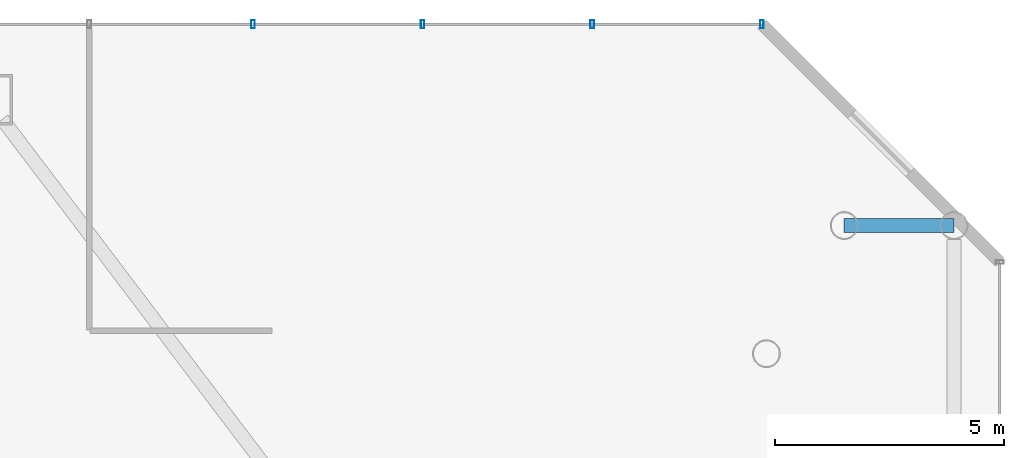
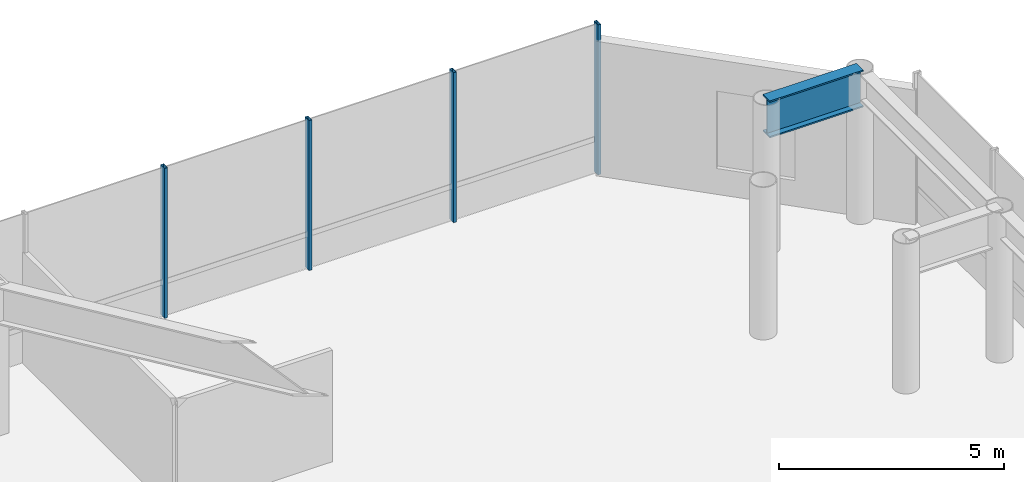
# One storey, part 22 of 33: 4 members, 1 beam, 1 element without a shape of its own.
"""IFC4 building model written with IfcOpenShell, lengths in metres."""

from ifc_helpers import new_model, si_unit, direction, frame, origin, origin_2d, place, context, subcontext, project, spatial, hollow_rectangle, i_section, extrude, material, layer, layer_set, material_profile, profile_set, type_object, element, aggregate, save


model = new_model("IFC4")

# Units and contexts
model_context = context("Model", 3, precision=1e-05, world=origin(), true_north=direction((0.0, 1.0)))
body_context = subcontext(model_context, "Body", "Model", "MODEL_VIEW")
ifc_project = project(units=[si_unit("LENGTHUNIT", "METRE"), si_unit("AREAUNIT", "SQUARE_METRE"), si_unit("VOLUMEUNIT", "CUBIC_METRE"), si_unit("PLANEANGLEUNIT", "RADIAN"), si_unit("MASSUNIT", "GRAM", prefix="KILO")], contexts=[model_context])

# Site, building, storey
site_placement = place(None, origin())
site = spatial("IfcSite", under=ifc_project, at=site_placement, CompositionType="ELEMENT")
building_placement = place(site_placement, origin())
building = spatial("IfcBuilding", under=site, at=building_placement, Name="Zarrinselat Tower", CompositionType="ELEMENT")
storey_placement = place(building_placement, frame((0.0, 0.0, 18.360107421875)))
storey = spatial("IfcBuildingStorey", under=building, at=storey_placement, Name="L04", CompositionType="ELEMENT", Elevation=18.360107421875)

# Beam
ifc_material_1 = material(Name="Steel S460M", Category="steel")
ifc_material_profile_1 = material_profile(ifc_material_1, i_section(OverallWidth=0.302001953125, OverallDepth=1.008056640625, WebThickness=0.02099609375, FlangeThickness=0.0400390625, at=origin_2d()), Name="HEM 1000")
ifc_profile_set_1 = profile_set([ifc_material_profile_1], Name="Steel S460M")
beam_type = type_object("IfcBeamType", Name="BM-PDTR-HEM1000", PredefinedType="BEAM", material=ifc_profile_set_1)
beam_placement = place(storey_placement, frame((68.0, 46.800048828125, 3.56591796875), z_axis=(1.0, 0.0, 0.0), x_axis=(0.0, 1.0, 0.0)))
element("IfcBeam", 1, at=beam_placement, inside=storey, type_object=beam_type, Name="L04 Podium Transfer Girder E-46", PredefinedType="BEAM", context=body_context, shape_type="SweptSolid", body=[
    extrude(i_section(OverallWidth=0.302001953125, OverallDepth=1.008056640625, WebThickness=0.02099609375, FlangeThickness=0.0400390625, at=origin_2d()), origin(), (0.0, 0.0, 1.0), 2.39990234375),
])

# Curtain wall, members
ifc_material_2 = material(Name="Extruded Aluminium Alloy EN AW-6063 T6", Category="aluminium")
ifc_layer = layer(ifc_material_2, 0.2099609375)
ifc_layer_set = layer_set([ifc_layer], Name="Extruded Aluminium Alloy EN AW-6063 T6")
curtain_wall_type = type_object("IfcCurtainWallType", Name="CWS-POD", PredefinedType="NOTDEFINED", material=ifc_layer_set)
curtain_wall_placement = place(storey_placement, origin())
curtain_wall = element("IfcCurtainWall", 2, at=curtain_wall_placement, inside=storey, type_object=curtain_wall_type, Name="L04 Unitised Curtain Wall CW-L04-F5", PredefinedType="NOTDEFINED")
ifc_material_3 = material(Name="Extruded Aluminium Alloy EN AW-6063 T6", Category="aluminium")
ifc_material_profile_2 = material_profile(ifc_material_3, hollow_rectangle(XDim=0.080078125, YDim=0.179931640625, WallThickness=0.0048828125, at=origin_2d()), Name="RHS 180x80x5")
ifc_profile_set_2 = profile_set([ifc_material_profile_2], Name="Extruded Aluminium Alloy EN AW-6063 T6")
member_type = type_object("IfcMemberType", Name="MEM-CW-MUL", PredefinedType="MULLION", material=ifc_profile_set_2)
member_1_placement = place(storey_placement, frame((66.199951171875, 51.199951171875, 0.0), z_axis=(0.0, 0.0, 1.0), x_axis=(-1.0, 0.0, 0.0)))
member_1 = element("IfcMember", 3, at=member_1_placement, type_object=member_type, Name="CW-L04-F5 Mullion 0", PredefinedType="MULLION", context=body_context, shape_type="SweptSolid", body=[
    extrude(hollow_rectangle(XDim=0.080078125, YDim=0.179931640625, WallThickness=0.0048828125, at=origin_2d()), origin(), (0.0, 0.0, 1.0), 4.06982421875),
])
member_2_placement = place(storey_placement, frame((62.493408203125, 51.199951171875, 0.0), z_axis=(0.0, 0.0, 1.0), x_axis=(-1.0, 0.0, 0.0)))
member_2 = element("IfcMember", 4, at=member_2_placement, type_object=member_type, Name="CW-L04-F5 Mullion 1", PredefinedType="MULLION", context=body_context, shape_type="SweptSolid", body=[
    extrude(hollow_rectangle(XDim=0.080078125, YDim=0.179931640625, WallThickness=0.0048828125, at=origin_2d()), origin(), (0.0, 0.0, 1.0), 4.06982421875),
])
member_3_placement = place(storey_placement, frame((58.78662109375, 51.199951171875, 0.0), z_axis=(0.0, 0.0, 1.0), x_axis=(-1.0, 0.0, 0.0)))
member_3 = element("IfcMember", 5, at=member_3_placement, type_object=member_type, Name="CW-L04-F5 Mullion 2", PredefinedType="MULLION", context=body_context, shape_type="SweptSolid", body=[
    extrude(hollow_rectangle(XDim=0.080078125, YDim=0.179931640625, WallThickness=0.0048828125, at=origin_2d()), origin(), (0.0, 0.0, 1.0), 4.06982421875),
])
member_4_placement = place(storey_placement, frame((55.080078125, 51.199951171875, 0.0), z_axis=(0.0, 0.0, 1.0), x_axis=(-1.0, 0.0, 0.0)))
member_4 = element("IfcMember", 6, at=member_4_placement, type_object=member_type, Name="CW-L04-F5 Mullion 3", PredefinedType="MULLION", context=body_context, shape_type="SweptSolid", body=[
    extrude(hollow_rectangle(XDim=0.080078125, YDim=0.179931640625, WallThickness=0.0048828125, at=origin_2d()), origin(), (0.0, 0.0, 1.0), 4.06982421875),
])
aggregate(curtain_wall, [member_1, member_2, member_3, member_4])

save(model, "model.ifc")
